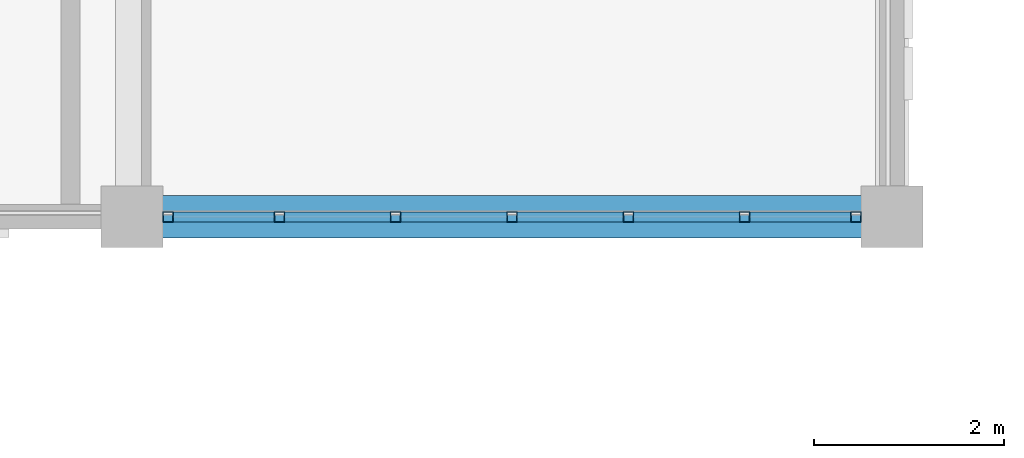
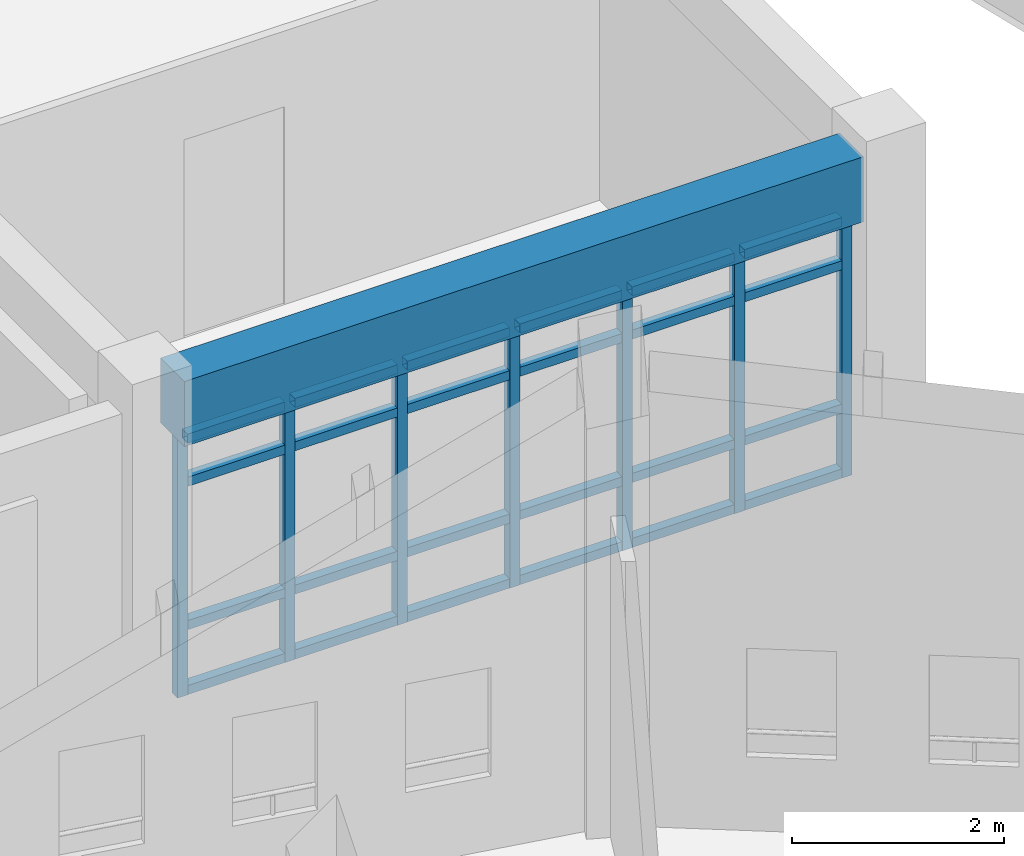
# One storey, part 22 of 149: 31 members, 1 beam, 1 element without a shape of its own.
"""IFC4 building model written with IfcOpenShell, lengths in metres."""

import ifcopenshell
import ifcopenshell.guid

model = None  # the IFC model being written
_history = None  # IfcOwnerHistory: only IFC2X3 demands one
_inside = {}  # id of a spatial element -> (the spatial element, [elements in it])
_under = {}  # id of a project, library or spatial element -> (it, [spatial elements below it])
_declared = {}  # id of a project -> (the project, [libraries it declares])
_typed = {}  # id of a type object -> (the type object, [elements of that type])
_made_of = {}  # id of a material, layer set ... -> (it, [elements and type objects made of it])


def new_model(schema):
    """Start an empty IFC model of exactly this schema.

    Asked for "IFC4X3", IfcOpenShell would pick the latest addendum, in which some entities
    have other attributes; the version numbers below select the first issue.
    IFC2X3 requires an IfcOwnerHistory on every rooted entity: one is made here for all.
    """
    global model, _history
    if schema == "IFC4X3":
        model = ifcopenshell.file(schema_version=(4, 3, 0, 0))
    else:
        model = ifcopenshell.file(schema=schema)
    _inside.clear()
    _under.clear()
    _declared.clear()
    _typed.clear()
    _made_of.clear()
    _history = None
    if model.schema == "IFC2X3":
        org = make("IfcOrganization", Name="unknown")
        user = make(
            "IfcPersonAndOrganization",
            ThePerson=make("IfcPerson", FamilyName="unknown"),
            TheOrganization=org,
        )
        app = make(
            "IfcApplication",
            ApplicationDeveloper=org,
            Version="unknown",
            ApplicationFullName="unknown",
            ApplicationIdentifier="unknown",
        )
        _history = make(
            "IfcOwnerHistory",
            OwningUser=user,
            OwningApplication=app,
            ChangeAction="ADDED",
            CreationDate=0,
        )
    return model


def make(cls, **values):
    """One entity of the class cls with the attributes given. An attribute that is None is left unset."""
    return model.create_entity(
        cls, **{name: value for name, value in values.items() if value is not None}
    )


def rooted(cls, **values):
    """An entity with a GlobalId (a new one), such as an element, a storey or a relation."""
    return make(cls, GlobalId=ifcopenshell.guid.new(), OwnerHistory=_history, **values)


def si_unit(unit_type, name, prefix=None):
    """IfcSIUnit, for example si_unit("LENGTHUNIT", "METRE", prefix="MILLI")."""
    return make("IfcSIUnit", UnitType=unit_type, Prefix=prefix, Name=name)


def assignment(units):
    """IfcUnitAssignment: the units of a project."""
    return None if units is None else make("IfcUnitAssignment", Units=units)


def point(xyz):
    """IfcCartesianPoint."""
    return None if xyz is None else make("IfcCartesianPoint", Coordinates=xyz)


def direction(xyz):
    """IfcDirection."""
    return None if xyz is None else make("IfcDirection", DirectionRatios=xyz)


def frame(location, z_axis=None, x_axis=None):
    """IfcAxis2Placement3D, a coordinate frame: its origin and axes. An axis left out is left unset."""
    return make(
        "IfcAxis2Placement3D",
        Location=point(location),
        Axis=direction(z_axis),
        RefDirection=direction(x_axis),
    )


def frame_2d(location, x_axis=None):
    """IfcAxis2Placement2D, a coordinate frame in the plane: its origin and x axis."""
    return make(
        "IfcAxis2Placement2D", Location=point(location), RefDirection=direction(x_axis)
    )


def origin():
    """The frame at (0, 0, 0) with its axes left unset."""
    return frame((0.0, 0.0, 0.0))


def origin_2d():
    """The frame at (0, 0) in the plane with its x axis left unset."""
    return frame_2d((0.0, 0.0))


def place(relative_to, where):
    """IfcLocalPlacement: puts the frame where relative to a parent placement (None: the world)."""
    return make(
        "IfcLocalPlacement", PlacementRelTo=relative_to, RelativePlacement=where
    )


def context(
    kind, dimensions, precision=None, world=None, true_north=None, identifier=None
):
    """IfcGeometricRepresentationContext, for example the 3D "Model" context."""
    return make(
        "IfcGeometricRepresentationContext",
        ContextIdentifier=identifier,
        ContextType=kind,
        CoordinateSpaceDimension=dimensions,
        Precision=precision,
        WorldCoordinateSystem=world,
        TrueNorth=true_north,
    )


def subcontext(parent, identifier, kind, view, scale=None):
    """IfcGeometricRepresentationSubContext, for example "Body" below "Model"."""
    return make(
        "IfcGeometricRepresentationSubContext",
        ContextIdentifier=identifier,
        ContextType=kind,
        ParentContext=parent,
        TargetScale=scale,
        TargetView=view,
    )


def project(units=None, contexts=None):
    """IfcProject with its units and contexts."""
    return rooted(
        "IfcProject",
        Name="project",
        RepresentationContexts=contexts,
        UnitsInContext=assignment(units),
    )


def spatial(cls, under=None, at=None, **own):
    """A site, building, storey or space (cls), placed at a placement, below another one or the project."""
    s = rooted(cls, ObjectPlacement=at, **own)
    if under is not None:
        _under.setdefault(under.id(), (under, []))[1].append(s)
    return s


def profile(cls, at=None, kind="AREA", **sizes):
    """A parametric profile (cls). Its sizes go by their IFC names, for example OverallWidth=200.0."""
    return make(cls, ProfileType=kind, Position=at, **sizes)


def rectangle(**sizes):
    """IfcRectangleProfileDef."""
    return profile("IfcRectangleProfileDef", **sizes)


def hollow_rectangle(**sizes):
    """IfcRectangleHollowProfileDef."""
    return profile("IfcRectangleHollowProfileDef", **sizes)


def extrude(swept, where, along, depth):
    """IfcExtrudedAreaSolid: the profile swept, set in the frame where, extruded along a direction by depth."""
    return make(
        "IfcExtrudedAreaSolid",
        SweptArea=swept,
        Position=where,
        ExtrudedDirection=direction(along),
        Depth=depth,
    )


def shape(context_of_items, identifier, shape_type, items):
    """IfcShapeRepresentation: the items that make up one representation, for example the "Body"."""
    return make(
        "IfcShapeRepresentation",
        ContextOfItems=context_of_items,
        RepresentationIdentifier=identifier,
        RepresentationType=shape_type,
        Items=items,
    )


def material(Name=None, Category=None):
    """IfcMaterial."""
    return make("IfcMaterial", Name=Name, Category=Category)


def material_profile(
    of_material, cross_section, Name=None, Category=None, Priority=None
):
    """IfcMaterialProfile: a cross section and its material."""
    return make(
        "IfcMaterialProfile",
        Name=Name,
        Material=of_material,
        Profile=cross_section,
        Priority=Priority,
        Category=Category,
    )


def profile_set(profiles, Name=None, composite=None):
    """IfcMaterialProfileSet."""
    return make(
        "IfcMaterialProfileSet",
        Name=Name,
        MaterialProfiles=profiles,
        CompositeProfile=composite,
    )


def made_of(thing, what):
    """Note that an element or type object is made of a material, layer set ...; save() writes the relation."""
    if what is not None:
        _made_of.setdefault(what.id(), (what, []))[1].append(thing)
    return thing


def type_object(cls, material=None, **own):
    """A type object (cls), such as IfcWallType, which elements share."""
    return made_of(rooted(cls, **own), material)


def element(
    cls,
    number,
    at=None,
    inside=None,
    cuts=None,
    type_object=None,
    material=None,
    context=None,
    identifier="Body",
    shape_type=None,
    held_by="IfcProductDefinitionShape",
    body=None,
    shapes=None,
    **own,
):
    """One element of the class cls, such as IfcWall. Its Tag is "e" and its number.

    at: its placement. inside: the storey or other place that contains it. cuts: it is an
    opening in that element (IfcRelVoidsElement). A single representation is given by context,
    identifier, shape_type and body (its items); several are given by shapes. held_by: the class
    of the entity that holds the representations. save() writes the other relations.
    """
    e = rooted(cls, Tag="e%d" % number, ObjectPlacement=at, **own)
    if body is not None:
        shapes = [shape(context, identifier, shape_type, body)]
    if shapes is not None:
        e.Representation = make(held_by, Representations=shapes)
    if inside is not None:
        _inside.setdefault(inside.id(), (inside, []))[1].append(e)
    if cuts is not None:
        rooted(
            "IfcRelVoidsElement", RelatingBuildingElement=cuts, RelatedOpeningElement=e
        )
    if type_object is not None:
        _typed.setdefault(type_object.id(), (type_object, []))[1].append(e)
    return made_of(e, material)


def aggregate(whole, parts):
    """IfcRelAggregates: a whole, such as a stair, and the parts it consists of."""
    return rooted("IfcRelAggregates", RelatingObject=whole, RelatedObjects=parts)


def save(model, path):
    """Write the relations noted so far, then the file.

    IfcRelAggregates (storeys below a building ...), IfcRelContainedInSpatialStructure (elements
    in a storey), IfcRelDefinesByType, IfcRelAssociatesMaterial and IfcRelDeclares: one each for
    every whole, place, type object, material and project.
    """
    for whole, parts in _under.values():
        aggregate(whole, parts)
    for where, things in _inside.values():
        rooted(
            "IfcRelContainedInSpatialStructure",
            RelatedElements=things,
            RelatingStructure=where,
        )
    for kind, things in _typed.values():
        rooted("IfcRelDefinesByType", RelatedObjects=things, RelatingType=kind)
    for what, things in _made_of.values():
        rooted("IfcRelAssociatesMaterial", RelatedObjects=things, RelatingMaterial=what)
    for by, libraries in _declared.values():
        rooted("IfcRelDeclares", RelatingContext=by, RelatedDefinitions=libraries)
    model.write(path)


model = new_model("IFC4")

# Units and contexts
model_context = context("Model", 3, precision=1e-05, world=origin(), true_north=direction((0.0, 1.0)))
body_context = subcontext(model_context, "Body", "Model", "MODEL_VIEW")
ifc_project = project(units=[si_unit("LENGTHUNIT", "METRE"), si_unit("AREAUNIT", "SQUARE_METRE"), si_unit("VOLUMEUNIT", "CUBIC_METRE"), si_unit("PLANEANGLEUNIT", "RADIAN"), si_unit("MASSUNIT", "GRAM", prefix="KILO")], contexts=[model_context])

# Site, building, storey
site_placement = place(None, origin())
site = spatial("IfcSite", under=ifc_project, at=site_placement, CompositionType="ELEMENT")
building_placement = place(site_placement, origin())
building = spatial("IfcBuilding", under=site, at=building_placement, Name="Celadon Cloister-Ring School", CompositionType="ELEMENT")
storey_placement = place(building_placement, frame((0.0, 0.0, 12.5)))
storey = spatial("IfcBuildingStorey", under=building, at=storey_placement, Name="L03", CompositionType="ELEMENT", Elevation=12.5)

# Curtain wall, members
ifc_material_1 = material(Name="Aluminium EN AW-6063 T6", Category="aluminium")
curtain_wall_type = type_object("IfcCurtainWallType", Name="CW-15", PredefinedType="USERDEFINED", material=ifc_material_1)
curtain_wall_placement = place(storey_placement, origin())
curtain_wall = element("IfcCurtainWall", 1, at=curtain_wall_placement, inside=storey, type_object=curtain_wall_type, Name="Curtain Wall 0205", ObjectType="CURTAIN WALL", PredefinedType="USERDEFINED")
ifc_material_2 = material(Name="Aluminium EN AW-6063 T6", Category="aluminium")
ifc_material_profile_1 = material_profile(ifc_material_2, hollow_rectangle(XDim=0.110107421875, YDim=0.110107421875, WallThickness=0.0048828125, at=origin_2d()), Name="RHS110X110X5")
ifc_profile_set_1 = profile_set([ifc_material_profile_1], Name="Aluminium EN AW-6063 T6")
member_type_1 = type_object("IfcMemberType", Name="CM-01", PredefinedType="MULLION", material=ifc_profile_set_1)
member_1_placement = place(storey_placement, frame((31.6201171875, 40.0, 0.0), z_axis=(0.0, 0.0, 1.0), x_axis=(0.0, -1.0, 0.0)))
member_1 = element("IfcMember", 2, at=member_1_placement, type_object=member_type_1, Name="CW-15 mullion 1", PredefinedType="MULLION", context=body_context, shape_type="SweptSolid", body=[
    extrude(hollow_rectangle(XDim=0.110107421875, YDim=0.110107421875, WallThickness=0.0048828125, at=origin_2d()), origin(), (0.0, 0.0, 1.0), 3.001953125),
])
member_2_placement = place(storey_placement, frame((30.449951171875, 40.0, 0.0), z_axis=(0.0, 0.0, 1.0), x_axis=(0.0, -1.0, 0.0)))
member_2 = element("IfcMember", 3, at=member_2_placement, type_object=member_type_1, Name="CW-15 mullion 2", PredefinedType="MULLION", context=body_context, shape_type="SweptSolid", body=[
    extrude(hollow_rectangle(XDim=0.110107421875, YDim=0.110107421875, WallThickness=0.0048828125, at=origin_2d()), origin(), (0.0, 0.0, 1.0), 3.001953125),
])
member_3_placement = place(storey_placement, frame((29.22509765625, 40.0, 0.0), z_axis=(0.0, 0.0, 1.0), x_axis=(0.0, -1.0, 0.0)))
member_3 = element("IfcMember", 4, at=member_3_placement, type_object=member_type_1, Name="CW-15 mullion 3", PredefinedType="MULLION", context=body_context, shape_type="SweptSolid", body=[
    extrude(hollow_rectangle(XDim=0.110107421875, YDim=0.110107421875, WallThickness=0.0048828125, at=origin_2d()), origin(), (0.0, 0.0, 1.0), 3.001953125),
])
member_4_placement = place(storey_placement, frame((28.0, 40.0, 0.0), z_axis=(0.0, 0.0, 1.0), x_axis=(0.0, -1.0, 0.0)))
member_4 = element("IfcMember", 5, at=member_4_placement, type_object=member_type_1, Name="CW-15 mullion 4", PredefinedType="MULLION", context=body_context, shape_type="SweptSolid", body=[
    extrude(hollow_rectangle(XDim=0.110107421875, YDim=0.110107421875, WallThickness=0.0048828125, at=origin_2d()), origin(), (0.0, 0.0, 1.0), 3.001953125),
])
member_5_placement = place(storey_placement, frame((26.77490234375, 40.0, 0.0), z_axis=(0.0, 0.0, 1.0), x_axis=(0.0, -1.0, 0.0)))
member_5 = element("IfcMember", 6, at=member_5_placement, type_object=member_type_1, Name="CW-15 mullion 5", PredefinedType="MULLION", context=body_context, shape_type="SweptSolid", body=[
    extrude(hollow_rectangle(XDim=0.110107421875, YDim=0.110107421875, WallThickness=0.0048828125, at=origin_2d()), origin(), (0.0, 0.0, 1.0), 3.001953125),
])
member_6_placement = place(storey_placement, frame((25.550048828125, 40.0, 0.0), z_axis=(0.0, 0.0, 1.0), x_axis=(0.0, -1.0, 0.0)))
member_6 = element("IfcMember", 7, at=member_6_placement, type_object=member_type_1, Name="CW-15 mullion 6", PredefinedType="MULLION", context=body_context, shape_type="SweptSolid", body=[
    extrude(hollow_rectangle(XDim=0.110107421875, YDim=0.110107421875, WallThickness=0.0048828125, at=origin_2d()), origin(), (0.0, 0.0, 1.0), 3.001953125),
])
member_7_placement = place(storey_placement, frame((24.3798828125, 40.0, 0.0), z_axis=(0.0, 0.0, 1.0), x_axis=(0.0, -1.0, 0.0)))
member_7 = element("IfcMember", 8, at=member_7_placement, type_object=member_type_1, Name="CW-15 mullion 7", PredefinedType="MULLION", context=body_context, shape_type="SweptSolid", body=[
    extrude(hollow_rectangle(XDim=0.110107421875, YDim=0.110107421875, WallThickness=0.0048828125, at=origin_2d()), origin(), (0.0, 0.0, 1.0), 3.001953125),
])
ifc_material_3 = material(Name="Aluminium EN AW-6063 T6", Category="aluminium")
ifc_material_profile_2 = material_profile(ifc_material_3, hollow_rectangle(XDim=0.10498046875, YDim=0.10498046875, WallThickness=0.0048828125, at=origin_2d()), Name="RHS105X105X5")
ifc_profile_set_2 = profile_set([ifc_material_profile_2], Name="Aluminium EN AW-6063 T6")
member_type_2 = type_object("IfcMemberType", Name="CTM-01", PredefinedType="USERDEFINED", material=ifc_profile_set_2)
member_8_placement = place(storey_placement, frame((31.56494140625, 40.0, 0.052490234375), z_axis=(-1.0, 0.0, 0.0), x_axis=(0.0, -1.0, 0.0)))
member_8 = element("IfcMember", 9, at=member_8_placement, type_object=member_type_2, Name="CW-15 transom 1.1", ObjectType="TRANSOM", PredefinedType="USERDEFINED", context=body_context, shape_type="SweptSolid", body=[
    extrude(hollow_rectangle(XDim=0.10498046875, YDim=0.10498046875, WallThickness=0.0048828125, at=origin_2d()), origin(), (0.0, 0.0, 1.0), 1.06005859375),
])
member_9_placement = place(storey_placement, frame((31.56494140625, 40.0, 0.800048828125), z_axis=(-1.0, 0.0, 0.0), x_axis=(0.0, -1.0, 0.0)))
member_9 = element("IfcMember", 10, at=member_9_placement, type_object=member_type_2, Name="CW-15 transom 1.2", ObjectType="TRANSOM", PredefinedType="USERDEFINED", context=body_context, shape_type="SweptSolid", body=[
    extrude(hollow_rectangle(XDim=0.10498046875, YDim=0.10498046875, WallThickness=0.0048828125, at=origin_2d()), origin(), (0.0, 0.0, 1.0), 1.06005859375),
])
member_10_placement = place(storey_placement, frame((31.56494140625, 40.0, 2.451904296875), z_axis=(-1.0, 0.0, 0.0), x_axis=(0.0, -1.0, 0.0)))
member_10 = element("IfcMember", 11, at=member_10_placement, type_object=member_type_2, Name="CW-15 transom 1.3", ObjectType="TRANSOM", PredefinedType="USERDEFINED", context=body_context, shape_type="SweptSolid", body=[
    extrude(hollow_rectangle(XDim=0.10498046875, YDim=0.10498046875, WallThickness=0.0048828125, at=origin_2d()), origin(), (0.0, 0.0, 1.0), 1.06005859375),
])
member_11_placement = place(storey_placement, frame((31.56494140625, 40.0, 2.949462890625), z_axis=(-1.0, 0.0, 0.0), x_axis=(0.0, -1.0, 0.0)))
member_11 = element("IfcMember", 12, at=member_11_placement, type_object=member_type_2, Name="CW-15 transom 1.4", ObjectType="TRANSOM", PredefinedType="USERDEFINED", context=body_context, shape_type="SweptSolid", body=[
    extrude(hollow_rectangle(XDim=0.10498046875, YDim=0.10498046875, WallThickness=0.0048828125, at=origin_2d()), origin(), (0.0, 0.0, 1.0), 1.06005859375),
])
member_12_placement = place(storey_placement, frame((30.39501953125, 40.0, 0.052490234375), z_axis=(-1.0, 0.0, 0.0), x_axis=(0.0, -1.0, 0.0)))
member_12 = element("IfcMember", 13, at=member_12_placement, type_object=member_type_2, Name="CW-15 transom 2.1", ObjectType="TRANSOM", PredefinedType="USERDEFINED", context=body_context, shape_type="SweptSolid", body=[
    extrude(hollow_rectangle(XDim=0.10498046875, YDim=0.10498046875, WallThickness=0.0048828125, at=origin_2d()), origin(), (0.0, 0.0, 1.0), 1.114990234375),
])
member_13_placement = place(storey_placement, frame((30.39501953125, 40.0, 0.800048828125), z_axis=(-1.0, 0.0, 0.0), x_axis=(0.0, -1.0, 0.0)))
member_13 = element("IfcMember", 14, at=member_13_placement, type_object=member_type_2, Name="CW-15 transom 2.2", ObjectType="TRANSOM", PredefinedType="USERDEFINED", context=body_context, shape_type="SweptSolid", body=[
    extrude(hollow_rectangle(XDim=0.10498046875, YDim=0.10498046875, WallThickness=0.0048828125, at=origin_2d()), origin(), (0.0, 0.0, 1.0), 1.114990234375),
])
member_14_placement = place(storey_placement, frame((30.39501953125, 40.0, 2.451904296875), z_axis=(-1.0, 0.0, 0.0), x_axis=(0.0, -1.0, 0.0)))
member_14 = element("IfcMember", 15, at=member_14_placement, type_object=member_type_2, Name="CW-15 transom 2.3", ObjectType="TRANSOM", PredefinedType="USERDEFINED", context=body_context, shape_type="SweptSolid", body=[
    extrude(hollow_rectangle(XDim=0.10498046875, YDim=0.10498046875, WallThickness=0.0048828125, at=origin_2d()), origin(), (0.0, 0.0, 1.0), 1.114990234375),
])
member_15_placement = place(storey_placement, frame((30.39501953125, 40.0, 2.949462890625), z_axis=(-1.0, 0.0, 0.0), x_axis=(0.0, -1.0, 0.0)))
member_15 = element("IfcMember", 16, at=member_15_placement, type_object=member_type_2, Name="CW-15 transom 2.4", ObjectType="TRANSOM", PredefinedType="USERDEFINED", context=body_context, shape_type="SweptSolid", body=[
    extrude(hollow_rectangle(XDim=0.10498046875, YDim=0.10498046875, WallThickness=0.0048828125, at=origin_2d()), origin(), (0.0, 0.0, 1.0), 1.114990234375),
])
member_16_placement = place(storey_placement, frame((29.169921875, 40.0, 0.052490234375), z_axis=(-1.0, 0.0, 0.0), x_axis=(0.0, -1.0, 0.0)))
member_16 = element("IfcMember", 17, at=member_16_placement, type_object=member_type_2, Name="CW-15 transom 3.1", ObjectType="TRANSOM", PredefinedType="USERDEFINED", context=body_context, shape_type="SweptSolid", body=[
    extrude(hollow_rectangle(XDim=0.10498046875, YDim=0.10498046875, WallThickness=0.0048828125, at=origin_2d()), origin(), (0.0, 0.0, 1.0), 1.114990234375),
])
member_17_placement = place(storey_placement, frame((29.169921875, 40.0, 0.800048828125), z_axis=(-1.0, 0.0, 0.0), x_axis=(0.0, -1.0, 0.0)))
member_17 = element("IfcMember", 18, at=member_17_placement, type_object=member_type_2, Name="CW-15 transom 3.2", ObjectType="TRANSOM", PredefinedType="USERDEFINED", context=body_context, shape_type="SweptSolid", body=[
    extrude(hollow_rectangle(XDim=0.10498046875, YDim=0.10498046875, WallThickness=0.0048828125, at=origin_2d()), origin(), (0.0, 0.0, 1.0), 1.114990234375),
])
member_18_placement = place(storey_placement, frame((29.169921875, 40.0, 2.451904296875), z_axis=(-1.0, 0.0, 0.0), x_axis=(0.0, -1.0, 0.0)))
member_18 = element("IfcMember", 19, at=member_18_placement, type_object=member_type_2, Name="CW-15 transom 3.3", ObjectType="TRANSOM", PredefinedType="USERDEFINED", context=body_context, shape_type="SweptSolid", body=[
    extrude(hollow_rectangle(XDim=0.10498046875, YDim=0.10498046875, WallThickness=0.0048828125, at=origin_2d()), origin(), (0.0, 0.0, 1.0), 1.114990234375),
])
member_19_placement = place(storey_placement, frame((29.169921875, 40.0, 2.949462890625), z_axis=(-1.0, 0.0, 0.0), x_axis=(0.0, -1.0, 0.0)))
member_19 = element("IfcMember", 20, at=member_19_placement, type_object=member_type_2, Name="CW-15 transom 3.4", ObjectType="TRANSOM", PredefinedType="USERDEFINED", context=body_context, shape_type="SweptSolid", body=[
    extrude(hollow_rectangle(XDim=0.10498046875, YDim=0.10498046875, WallThickness=0.0048828125, at=origin_2d()), origin(), (0.0, 0.0, 1.0), 1.114990234375),
])
member_20_placement = place(storey_placement, frame((27.945068359375, 40.0, 0.052490234375), z_axis=(-1.0, 0.0, 0.0), x_axis=(0.0, -1.0, 0.0)))
member_20 = element("IfcMember", 21, at=member_20_placement, type_object=member_type_2, Name="CW-15 transom 4.1", ObjectType="TRANSOM", PredefinedType="USERDEFINED", context=body_context, shape_type="SweptSolid", body=[
    extrude(hollow_rectangle(XDim=0.10498046875, YDim=0.10498046875, WallThickness=0.0048828125, at=origin_2d()), origin(), (0.0, 0.0, 1.0), 1.114990234375),
])
member_21_placement = place(storey_placement, frame((27.945068359375, 40.0, 0.800048828125), z_axis=(-1.0, 0.0, 0.0), x_axis=(0.0, -1.0, 0.0)))
member_21 = element("IfcMember", 22, at=member_21_placement, type_object=member_type_2, Name="CW-15 transom 4.2", ObjectType="TRANSOM", PredefinedType="USERDEFINED", context=body_context, shape_type="SweptSolid", body=[
    extrude(hollow_rectangle(XDim=0.10498046875, YDim=0.10498046875, WallThickness=0.0048828125, at=origin_2d()), origin(), (0.0, 0.0, 1.0), 1.114990234375),
])
member_22_placement = place(storey_placement, frame((27.945068359375, 40.0, 2.451904296875), z_axis=(-1.0, 0.0, 0.0), x_axis=(0.0, -1.0, 0.0)))
member_22 = element("IfcMember", 23, at=member_22_placement, type_object=member_type_2, Name="CW-15 transom 4.3", ObjectType="TRANSOM", PredefinedType="USERDEFINED", context=body_context, shape_type="SweptSolid", body=[
    extrude(hollow_rectangle(XDim=0.10498046875, YDim=0.10498046875, WallThickness=0.0048828125, at=origin_2d()), origin(), (0.0, 0.0, 1.0), 1.114990234375),
])
member_23_placement = place(storey_placement, frame((27.945068359375, 40.0, 2.949462890625), z_axis=(-1.0, 0.0, 0.0), x_axis=(0.0, -1.0, 0.0)))
member_23 = element("IfcMember", 24, at=member_23_placement, type_object=member_type_2, Name="CW-15 transom 4.4", ObjectType="TRANSOM", PredefinedType="USERDEFINED", context=body_context, shape_type="SweptSolid", body=[
    extrude(hollow_rectangle(XDim=0.10498046875, YDim=0.10498046875, WallThickness=0.0048828125, at=origin_2d()), origin(), (0.0, 0.0, 1.0), 1.114990234375),
])
member_24_placement = place(storey_placement, frame((26.719970703125, 40.0, 0.052490234375), z_axis=(-1.0, 0.0, 0.0), x_axis=(0.0, -1.0, 0.0)))
member_24 = element("IfcMember", 25, at=member_24_placement, type_object=member_type_2, Name="CW-15 transom 5.1", ObjectType="TRANSOM", PredefinedType="USERDEFINED", context=body_context, shape_type="SweptSolid", body=[
    extrude(hollow_rectangle(XDim=0.10498046875, YDim=0.10498046875, WallThickness=0.0048828125, at=origin_2d()), origin(), (0.0, 0.0, 1.0), 1.114990234375),
])
member_25_placement = place(storey_placement, frame((26.719970703125, 40.0, 0.800048828125), z_axis=(-1.0, 0.0, 0.0), x_axis=(0.0, -1.0, 0.0)))
member_25 = element("IfcMember", 26, at=member_25_placement, type_object=member_type_2, Name="CW-15 transom 5.2", ObjectType="TRANSOM", PredefinedType="USERDEFINED", context=body_context, shape_type="SweptSolid", body=[
    extrude(hollow_rectangle(XDim=0.10498046875, YDim=0.10498046875, WallThickness=0.0048828125, at=origin_2d()), origin(), (0.0, 0.0, 1.0), 1.114990234375),
])
member_26_placement = place(storey_placement, frame((26.719970703125, 40.0, 2.451904296875), z_axis=(-1.0, 0.0, 0.0), x_axis=(0.0, -1.0, 0.0)))
member_26 = element("IfcMember", 27, at=member_26_placement, type_object=member_type_2, Name="CW-15 transom 5.3", ObjectType="TRANSOM", PredefinedType="USERDEFINED", context=body_context, shape_type="SweptSolid", body=[
    extrude(hollow_rectangle(XDim=0.10498046875, YDim=0.10498046875, WallThickness=0.0048828125, at=origin_2d()), origin(), (0.0, 0.0, 1.0), 1.114990234375),
])
member_27_placement = place(storey_placement, frame((26.719970703125, 40.0, 2.949462890625), z_axis=(-1.0, 0.0, 0.0), x_axis=(0.0, -1.0, 0.0)))
member_27 = element("IfcMember", 28, at=member_27_placement, type_object=member_type_2, Name="CW-15 transom 5.4", ObjectType="TRANSOM", PredefinedType="USERDEFINED", context=body_context, shape_type="SweptSolid", body=[
    extrude(hollow_rectangle(XDim=0.10498046875, YDim=0.10498046875, WallThickness=0.0048828125, at=origin_2d()), origin(), (0.0, 0.0, 1.0), 1.114990234375),
])
member_28_placement = place(storey_placement, frame((25.4951171875, 40.0, 0.052490234375), z_axis=(-1.0, 0.0, 0.0), x_axis=(0.0, -1.0, 0.0)))
member_28 = element("IfcMember", 29, at=member_28_placement, type_object=member_type_2, Name="CW-15 transom 6.1", ObjectType="TRANSOM", PredefinedType="USERDEFINED", context=body_context, shape_type="SweptSolid", body=[
    extrude(hollow_rectangle(XDim=0.10498046875, YDim=0.10498046875, WallThickness=0.0048828125, at=origin_2d()), origin(), (0.0, 0.0, 1.0), 1.06005859375),
])
member_29_placement = place(storey_placement, frame((25.4951171875, 40.0, 0.800048828125), z_axis=(-1.0, 0.0, 0.0), x_axis=(0.0, -1.0, 0.0)))
member_29 = element("IfcMember", 30, at=member_29_placement, type_object=member_type_2, Name="CW-15 transom 6.2", ObjectType="TRANSOM", PredefinedType="USERDEFINED", context=body_context, shape_type="SweptSolid", body=[
    extrude(hollow_rectangle(XDim=0.10498046875, YDim=0.10498046875, WallThickness=0.0048828125, at=origin_2d()), origin(), (0.0, 0.0, 1.0), 1.06005859375),
])
member_30_placement = place(storey_placement, frame((25.4951171875, 40.0, 2.451904296875), z_axis=(-1.0, 0.0, 0.0), x_axis=(0.0, -1.0, 0.0)))
member_30 = element("IfcMember", 31, at=member_30_placement, type_object=member_type_2, Name="CW-15 transom 6.3", ObjectType="TRANSOM", PredefinedType="USERDEFINED", context=body_context, shape_type="SweptSolid", body=[
    extrude(hollow_rectangle(XDim=0.10498046875, YDim=0.10498046875, WallThickness=0.0048828125, at=origin_2d()), origin(), (0.0, 0.0, 1.0), 1.06005859375),
])
member_31_placement = place(storey_placement, frame((25.4951171875, 40.0, 2.949462890625), z_axis=(-1.0, 0.0, 0.0), x_axis=(0.0, -1.0, 0.0)))
member_31 = element("IfcMember", 32, at=member_31_placement, type_object=member_type_2, Name="CW-15 transom 6.4", ObjectType="TRANSOM", PredefinedType="USERDEFINED", context=body_context, shape_type="SweptSolid", body=[
    extrude(hollow_rectangle(XDim=0.10498046875, YDim=0.10498046875, WallThickness=0.0048828125, at=origin_2d()), origin(), (0.0, 0.0, 1.0), 1.06005859375),
])
aggregate(curtain_wall, [member_1, member_2, member_3, member_4, member_5, member_6, member_7, member_8, member_9, member_10, member_11, member_12, member_13, member_14, member_15, member_16, member_17, member_18, member_19, member_20, member_21, member_22, member_23, member_24, member_25, member_26, member_27, member_28, member_29, member_30, member_31])

# Beam
ifc_material_4 = material(Name="Concrete C35/45", Category="concrete")
ifc_material_profile_3 = material_profile(ifc_material_4, rectangle(XDim=0.449951171875, YDim=0.75, at=origin_2d()), Name="RC450X750")
ifc_profile_set_3 = profile_set([ifc_material_profile_3], Name="Concrete C35/45")
beam_type = type_object("IfcBeamType", Name="GT-02", PredefinedType="USERDEFINED", material=ifc_profile_set_3)
beam_placement = place(storey_placement, frame((24.300048828125, 40.0, 3.385009765625), z_axis=(1.0, 0.0, 0.0), x_axis=(0.0, 1.0, 0.0)))
element("IfcBeam", 33, at=beam_placement, inside=storey, type_object=beam_type, Name="Beam 1603", ObjectType="GIRDER", PredefinedType="USERDEFINED", context=body_context, shape_type="SweptSolid", body=[
    extrude(rectangle(XDim=0.449951171875, YDim=0.75, at=origin_2d()), origin(), (0.0, 0.0, 1.0), 7.39990234375),
])

save(model, "model.ifc")
